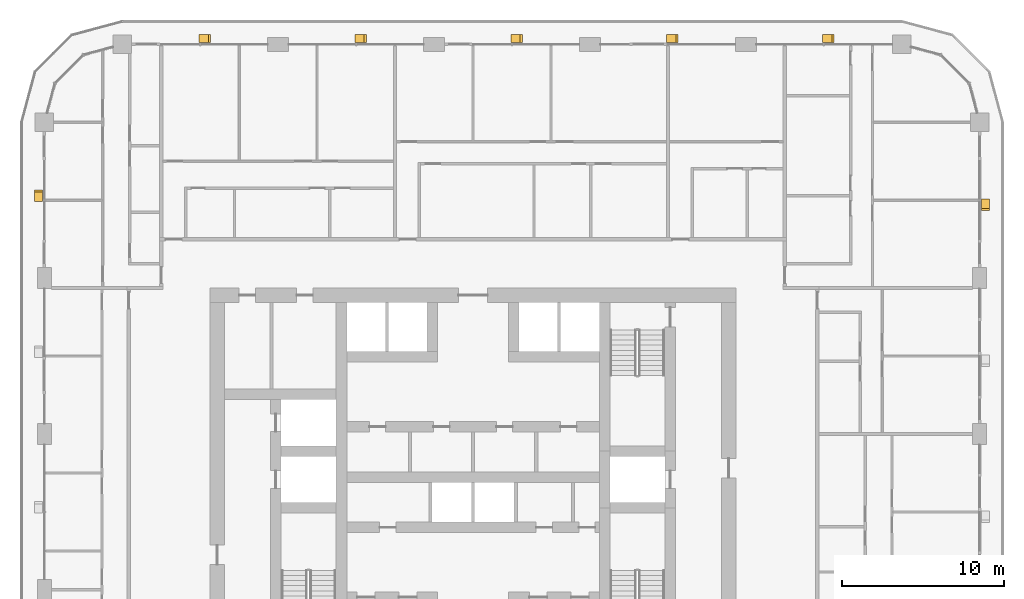
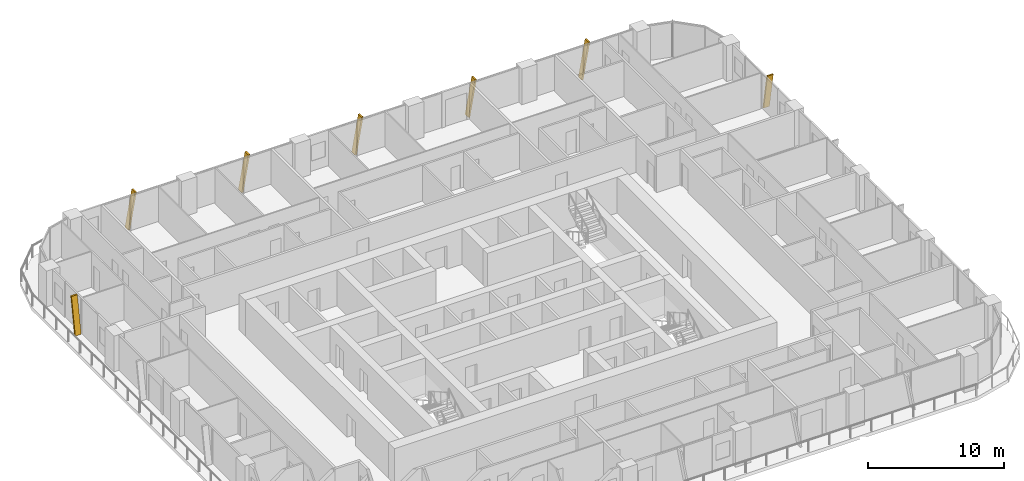
# One storey, part 21 of 21: 7 shading devices.
"""IFC4 building model written with IfcOpenShell, lengths in metres."""

from ifc_helpers import new_model, si_unit, direction, frame, origin, place, context, subcontext, project, spatial, polyline, outline, extrude, material, type_object, element, save


model = new_model("IFC4")

# Units and contexts
model_context = context("Model", 3, precision=1e-05, world=origin(), true_north=direction((0.0, 1.0)))
body_context = subcontext(model_context, "Body", "Model", "MODEL_VIEW")
ifc_project = project(units=[si_unit("LENGTHUNIT", "METRE"), si_unit("AREAUNIT", "SQUARE_METRE"), si_unit("VOLUMEUNIT", "CUBIC_METRE"), si_unit("PLANEANGLEUNIT", "RADIAN"), si_unit("MASSUNIT", "GRAM", prefix="KILO")], contexts=[model_context])

# Site, building, storey
site_placement = place(None, origin())
site = spatial("IfcSite", under=ifc_project, at=site_placement, CompositionType="ELEMENT")
building_placement = place(site_placement, origin())
building = spatial("IfcBuilding", under=site, at=building_placement, Name="Madar Terraces", CompositionType="ELEMENT")
storey_placement = place(building_placement, frame((0.0, 0.0, 92.699951171875)))
storey = spatial("IfcBuildingStorey", under=building, at=storey_placement, Name="L23", CompositionType="ELEMENT", Elevation=92.699951171875)

# Shading devices
ifc_material = material(Name="Aluminium, black anodised", Category="aluminium")
shading_device_type = type_object("IfcShadingDeviceType", Name="Facade fin blade 140 x 500", PredefinedType="USERDEFINED", material=ifc_material)
for number, where, z_axis, x_axis, name in (
    (1, (62.75, 43.1298828125, 0.0), (0.0, 0.0, 1.0), (0.0, 1.0, 0.0), "FIN L23 E4"),
    (2, (52.8701171875, 53.14990234375, 0.0), (0.0, 0.0, 1.0), (-1.0, 0.0, 0.0), "FIN L23 N1"),
    (3, (43.27001953125, 53.14990234375, 0.0), (0.0, 0.0, 1.0), (-1.0, 0.0, 0.0), "FIN L23 N2"),
):
    element("IfcShadingDevice", number, at=place(storey_placement, frame(where, z_axis=z_axis, x_axis=x_axis)), inside=storey, type_object=shading_device_type, Name=name, ObjectType="FIN", PredefinedType="USERDEFINED", context=body_context, shape_type="SweptSolid", body=[
        extrude(outline(polyline([(0.0, 0.0), (0.14013671875, 0.0), (-0.42431640625, 3.199951171875), (-0.564208984375, 3.199951171875), (0.0, 0.0)])), frame((0.0, 0.25, 0.0), z_axis=(0.0, -1.0, 0.0), x_axis=(1.0, 0.0, 0.0)), (0.0, 0.0, 1.0), 0.5),
    ])
shading_device_1_placement = place(storey_placement, frame((33.669921875, 53.14990234375, 0.0), z_axis=(0.0, 0.0, 1.0), x_axis=(-1.0, 0.0, 0.0)))
element("IfcShadingDevice", 4, at=shading_device_1_placement, inside=storey, type_object=shading_device_type, Name="FIN L23 N3", ObjectType="FIN", PredefinedType="USERDEFINED", context=body_context, shape_type="SweptSolid", body=[
    extrude(outline(polyline([(0.0, 0.0), (0.139892578125, 0.0), (-0.42431640625, 3.199951171875), (-0.564208984375, 3.199951171875), (0.0, 0.0)])), frame((0.0, 0.25, 0.0), z_axis=(0.0, -1.0, 0.0), x_axis=(1.0, 0.0, 0.0)), (0.0, 0.0, 1.0), 0.5),
])
shading_device_2_placement = place(storey_placement, frame((24.070068359375, 53.14990234375, 0.0), z_axis=(0.0, 0.0, 1.0), x_axis=(-1.0, 0.0, 0.0)))
element("IfcShadingDevice", 5, at=shading_device_2_placement, inside=storey, type_object=shading_device_type, Name="FIN L23 N4", ObjectType="FIN", PredefinedType="USERDEFINED", context=body_context, shape_type="SweptSolid", body=[
    extrude(outline(polyline([(0.0, 0.0), (0.14013671875, 0.0), (-0.42431640625, 3.199951171875), (-0.564208984375, 3.199951171875), (0.0, 0.0)])), frame((0.0, 0.25, 0.0), z_axis=(0.0, -1.0, 0.0), x_axis=(1.0, 0.0, 0.0)), (0.0, 0.0, 1.0), 0.5),
])
shading_device_3_placement = place(storey_placement, frame((14.469970703125, 53.14990234375, 0.0), z_axis=(0.0, 0.0, 1.0), x_axis=(-1.0, 0.0, 0.0)))
element("IfcShadingDevice", 6, at=shading_device_3_placement, inside=storey, type_object=shading_device_type, Name="FIN L23 N5", ObjectType="FIN", PredefinedType="USERDEFINED", context=body_context, shape_type="SweptSolid", body=[
    extrude(outline(polyline([(0.0, 0.0), (0.139892578125, 0.0), (-0.42431640625, 3.199951171875), (-0.564208984375, 3.199951171875), (0.0, 0.0)])), frame((0.0, 0.25, 0.0), z_axis=(0.0, -1.0, 0.0), x_axis=(1.0, 0.0, 0.0)), (0.0, 0.0, 1.0), 0.5),
])
shading_device_4_placement = place(storey_placement, frame((4.449951171875, 43.27001953125, 0.0), z_axis=(0.0, 0.0, 1.0), x_axis=(0.0, -1.0, 0.0)))
element("IfcShadingDevice", 7, at=shading_device_4_placement, inside=storey, type_object=shading_device_type, Name="FIN L23 W1", ObjectType="FIN", PredefinedType="USERDEFINED", context=body_context, shape_type="SweptSolid", body=[
    extrude(outline(polyline([(0.0, 0.0), (0.14013671875, 0.0), (-0.42431640625, 3.199951171875), (-0.564208984375, 3.199951171875), (0.0, 0.0)])), frame((0.0, 0.25, 0.0), z_axis=(0.0, -1.0, 0.0), x_axis=(1.0, 0.0, 0.0)), (0.0, 0.0, 1.0), 0.5),
])

save(model, "model.ifc")
